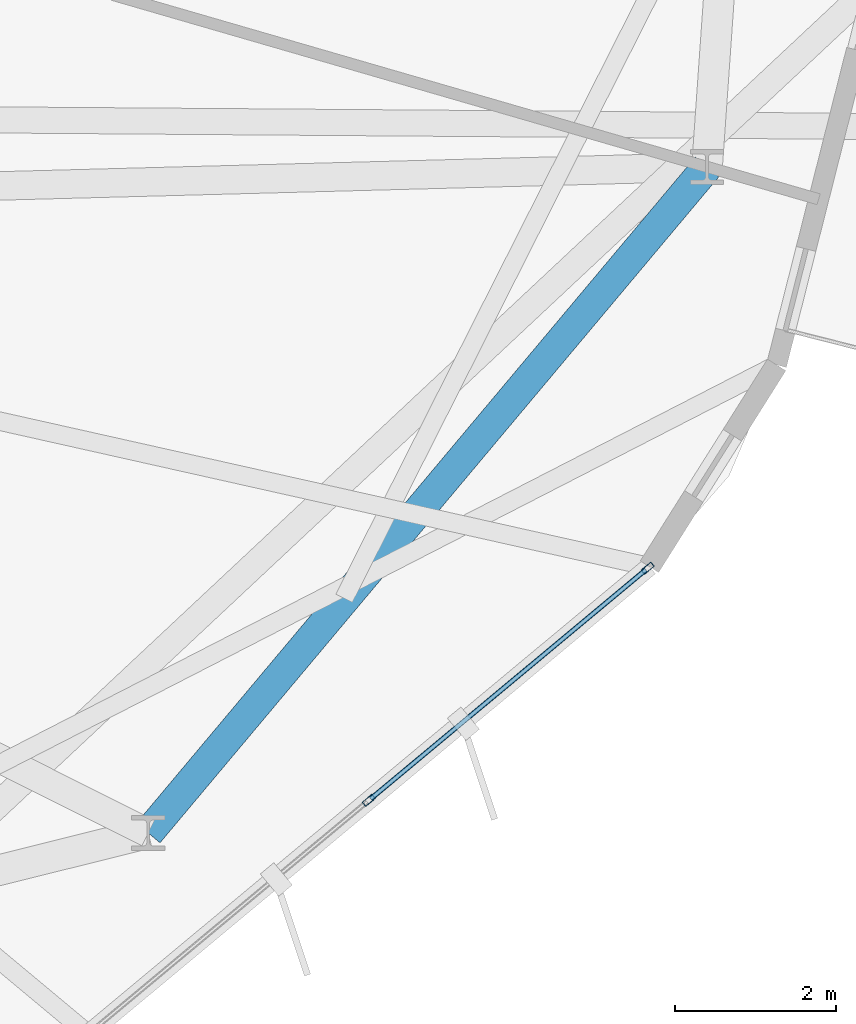
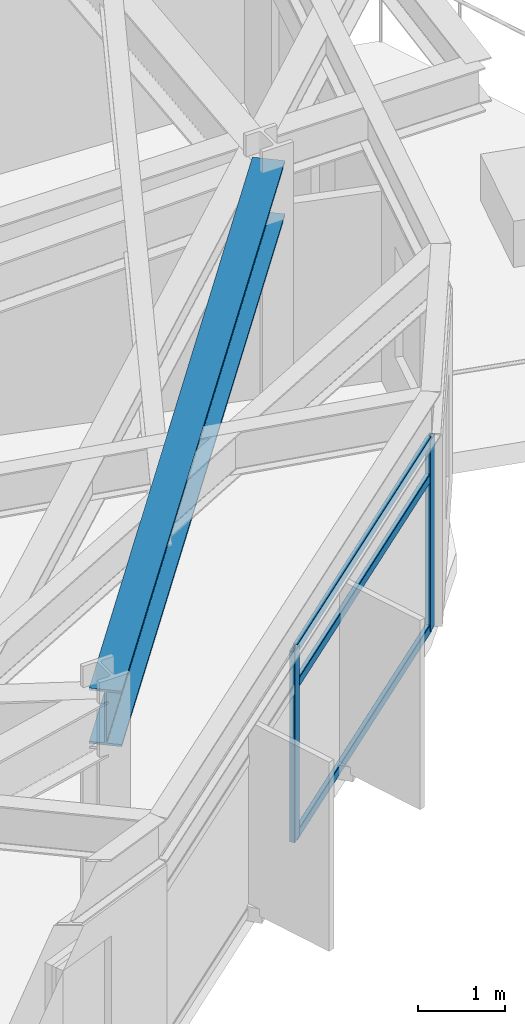
# One storey, part 9 of 24: 5 members, 1 beam, 1 element without a shape of its own.
"""IFC4 building model written with IfcOpenShell, lengths in metres."""

from ifc_helpers import new_model, si_unit, direction, frame, origin, origin_2d, place, context, subcontext, project, spatial, hollow_rectangle, i_section, extrude, material, layer, layer_set, material_profile, profile_set, type_object, element, aggregate, save


model = new_model("IFC4")

# Units and contexts
model_context = context("Model", 3, precision=1e-05, world=origin(), true_north=direction((0.0, 1.0)))
body_context = subcontext(model_context, "Body", "Model", "MODEL_VIEW")
ifc_project = project(units=[si_unit("LENGTHUNIT", "METRE"), si_unit("AREAUNIT", "SQUARE_METRE"), si_unit("VOLUMEUNIT", "CUBIC_METRE"), si_unit("PLANEANGLEUNIT", "RADIAN"), si_unit("MASSUNIT", "GRAM", prefix="KILO")], contexts=[model_context])

# Site, building, storey
site_placement = place(None, origin())
site = spatial("IfcSite", under=ifc_project, at=site_placement, CompositionType="ELEMENT")
building_placement = place(site_placement, origin())
building = spatial("IfcBuilding", under=site, at=building_placement, Name="Soratama Intermodal Tower", CompositionType="ELEMENT")
storey_placement = place(building_placement, frame((0.0, 0.0, 178.60009765625)))
storey = spatial("IfcBuildingStorey", under=building, at=storey_placement, Name="L44", CompositionType="ELEMENT", Elevation=178.60009765625)

# Beam
ifc_material_1 = material(Name="Structural steel ASTM A992 Grade 50", Category="steel")
ifc_material_profile_1 = material_profile(ifc_material_1, i_section(OverallWidth=0.382080078125, OverallDepth=0.779052734375, WebThickness=0.01806640625, FlangeThickness=0.030029296875, FilletRadius=0.01806640625, at=origin_2d()), Name="W30X191")
ifc_profile_set_1 = profile_set([ifc_material_profile_1], Name="Structural steel ASTM A992 Grade 50")
beam_type = type_object("IfcBeamType", Name="BM-RING-W30X191", PredefinedType="BEAM", material=ifc_profile_set_1)
beam_placement = place(storey_placement, frame((54.27392578125, 10.158935546875, 2.910400390625), z_axis=(0.642791781199, 0.766040942785, 0.0), x_axis=(-0.766040942785, 0.642791781199, 0.0)))
element("IfcBeam", 1, at=beam_placement, inside=storey, type_object=beam_type, Name="BM-L44-RING-09", PredefinedType="BEAM", context=body_context, shape_type="SweptSolid", body=[
    extrude(i_section(OverallWidth=0.382080078125, OverallDepth=0.779052734375, WebThickness=0.01806640625, FlangeThickness=0.030029296875, FilletRadius=0.01806640625, at=origin_2d()), origin(), (0.0, 0.0, 1.0), 10.815673828125),
])

# Curtain wall, members
ifc_material_2 = material(Name="Double-glazed aluminium curtain wall", Category="aluminium")
ifc_layer = layer(ifc_material_2, 0.159912109375)
ifc_layer_set = layer_set([ifc_layer], Name="Double-glazed aluminium curtain wall")
curtain_wall_type = type_object("IfcCurtainWallType", Name="CW-SYS-4", PredefinedType="NOTDEFINED", material=ifc_layer_set)
curtain_wall_placement = place(storey_placement, origin())
curtain_wall = element("IfcCurtainWall", 2, at=curtain_wall_placement, inside=storey, type_object=curtain_wall_type, Name="L44 Faceted Curtain Wall F08", PredefinedType="NOTDEFINED")
ifc_material_3 = material(Name="Anodised aluminium AA 6063-T6", Category="aluminium")
ifc_material_profile_2 = material_profile(ifc_material_3, hollow_rectangle(XDim=0.070068359375, YDim=0.159912109375, WallThickness=0.0048828125, InnerFilletRadius=0.0048828125, OuterFilletRadius=0.010009765625, at=origin_2d()), Name="CWM160X70X5")
ifc_profile_set_2 = profile_set([ifc_material_profile_2], Name="Anodised aluminium AA 6063-T6")
member_type_1 = type_object("IfcMemberType", Name="MT-CWM-4", PredefinedType="MULLION", material=ifc_profile_set_2)
member_1_placement = place(storey_placement, frame((57.018310546875, 10.56494140625, 0.0), z_axis=(0.0, 0.0, 1.0), x_axis=(-0.639840120202, 0.768508048481, 0.0)))
member_1 = element("IfcMember", 3, at=member_1_placement, type_object=member_type_1, Name="CW-4 mullion 2", PredefinedType="MULLION", context=body_context, shape_type="SweptSolid", body=[
    extrude(hollow_rectangle(XDim=0.070068359375, YDim=0.159912109375, WallThickness=0.0048828125, InnerFilletRadius=0.0048828125, OuterFilletRadius=0.010009765625, at=origin_2d()), origin(), (0.0, 0.0, 1.0), 2.678955078125),
])
member_2_placement = place(storey_placement, frame((60.487060546875, 13.452880859375, 0.0), z_axis=(0.0, 0.0, 1.0), x_axis=(-0.639840120202, 0.768508048481, 0.0)))
member_2 = element("IfcMember", 4, at=member_2_placement, type_object=member_type_1, Name="CW-4 mullion 3", PredefinedType="MULLION", context=body_context, shape_type="SweptSolid", body=[
    extrude(hollow_rectangle(XDim=0.070068359375, YDim=0.159912109375, WallThickness=0.0048828125, InnerFilletRadius=0.0048828125, OuterFilletRadius=0.010009765625, at=origin_2d()), origin(), (0.0, 0.0, 1.0), 2.678955078125),
])
ifc_material_4 = material(Name="Anodised aluminium AA 6063-T6", Category="aluminium")
ifc_material_profile_3 = material_profile(ifc_material_4, hollow_rectangle(XDim=0.06005859375, YDim=0.1298828125, WallThickness=0.0048828125, InnerFilletRadius=0.0048828125, OuterFilletRadius=0.010009765625, at=origin_2d()), Name="CWT130X60X5")
ifc_profile_set_3 = profile_set([ifc_material_profile_3], Name="Anodised aluminium AA 6063-T6")
member_type_2 = type_object("IfcMemberType", Name="TT-CWT-2", PredefinedType="USERDEFINED", material=ifc_profile_set_3)
member_3_placement = place(storey_placement, frame((57.04150390625, 10.583984375, 0.02978515625), z_axis=(0.768504285007, 0.63984464046, 0.0), x_axis=(-0.63984464046, 0.768504285007, 0.0)))
member_3 = element("IfcMember", 5, at=member_3_placement, type_object=member_type_2, Name="CW-4 transom 2.1", ObjectType="TRANSOM", PredefinedType="USERDEFINED", context=body_context, shape_type="SweptSolid", body=[
    extrude(hollow_rectangle(XDim=0.06005859375, YDim=0.1298828125, WallThickness=0.0048828125, InnerFilletRadius=0.0048828125, OuterFilletRadius=0.010009765625, at=origin_2d()), origin(), (0.0, 0.0, 1.0), 4.45361328125),
])
member_4_placement = place(storey_placement, frame((57.04150390625, 10.583984375, 2.14990234375), z_axis=(0.768504285007, 0.63984464046, 0.0), x_axis=(-0.63984464046, 0.768504285007, 0.0)))
member_4 = element("IfcMember", 6, at=member_4_placement, type_object=member_type_2, Name="CW-4 transom 2.2", ObjectType="TRANSOM", PredefinedType="USERDEFINED", context=body_context, shape_type="SweptSolid", body=[
    extrude(hollow_rectangle(XDim=0.06005859375, YDim=0.1298828125, WallThickness=0.0048828125, InnerFilletRadius=0.0048828125, OuterFilletRadius=0.010009765625, at=origin_2d()), origin(), (0.0, 0.0, 1.0), 4.45361328125),
])
member_5_placement = place(storey_placement, frame((57.04150390625, 10.583984375, 2.64892578125), z_axis=(0.768504285007, 0.63984464046, 0.0), x_axis=(-0.63984464046, 0.768504285007, 0.0)))
member_5 = element("IfcMember", 7, at=member_5_placement, type_object=member_type_2, Name="CW-4 transom 2.3", ObjectType="TRANSOM", PredefinedType="USERDEFINED", context=body_context, shape_type="SweptSolid", body=[
    extrude(hollow_rectangle(XDim=0.06005859375, YDim=0.1298828125, WallThickness=0.0048828125, InnerFilletRadius=0.0048828125, OuterFilletRadius=0.010009765625, at=origin_2d()), origin(), (0.0, 0.0, 1.0), 4.45361328125),
])
aggregate(curtain_wall, [member_1, member_2, member_3, member_4, member_5])

save(model, "model.ifc")
